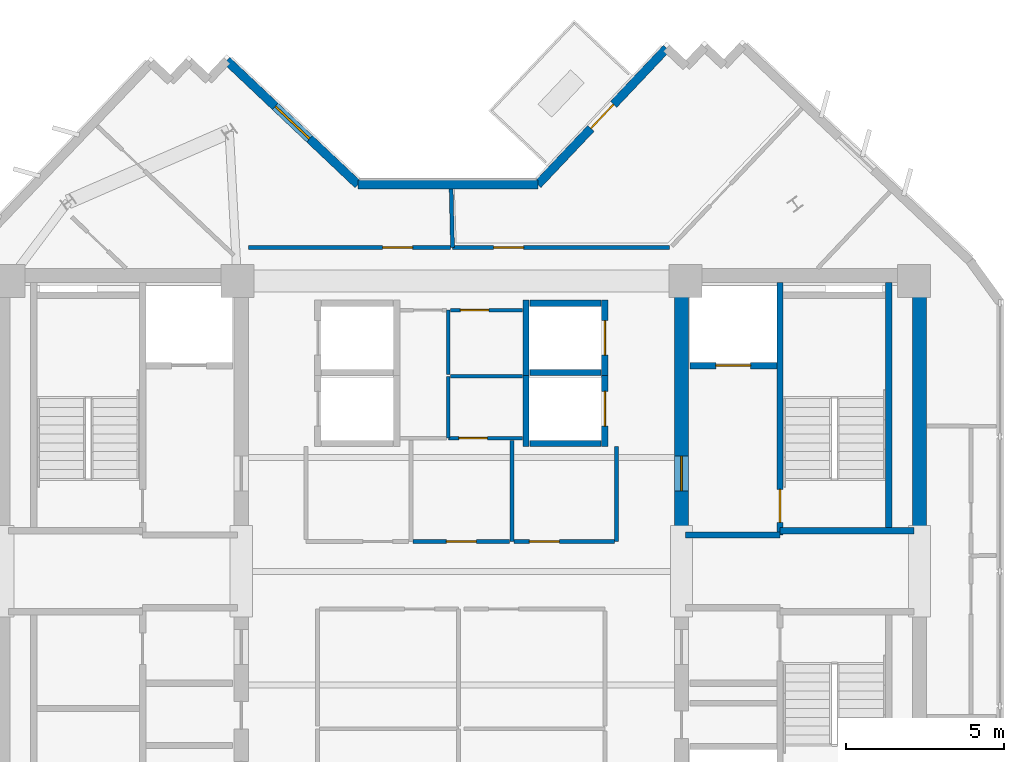
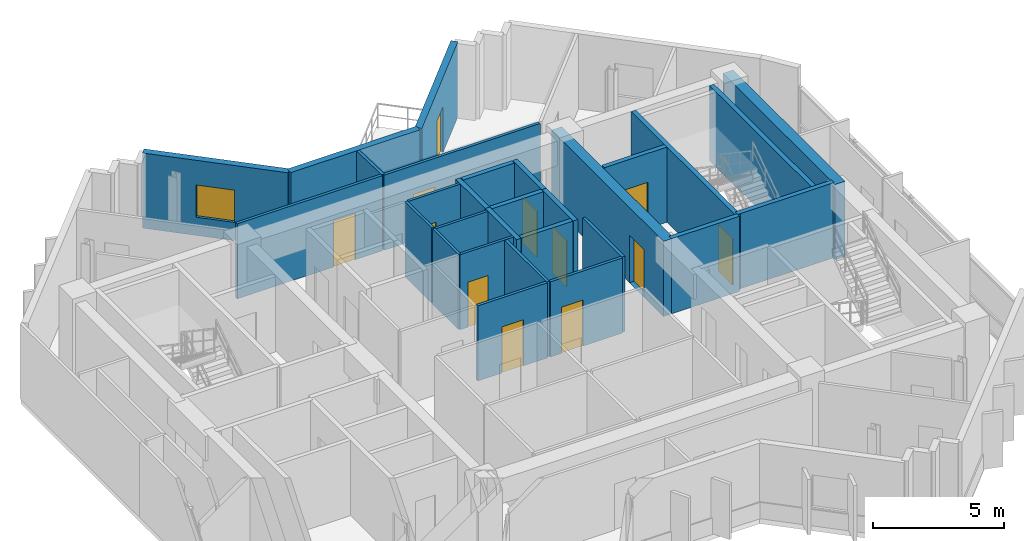
# One storey, part 6 of 9: 29 walls, 12 doors, 1 window, 13 openings.
"""IFC4 building model written with IfcOpenShell, lengths in metres."""

from ifc_helpers import new_model, si_unit, direction, frame, frame_2d, origin, place, context, subcontext, project, spatial, rectangle, extrude, source, transform, mapped, material, layer, layer_set, type_object, element, fill, save


model = new_model("IFC4")

# Units and contexts
model_context = context("Model", 3, precision=1e-05, world=origin(), true_north=direction((0.0, 1.0)))
body_context = subcontext(model_context, "Body", "Model", "MODEL_VIEW")
ifc_project = project(units=[si_unit("LENGTHUNIT", "METRE"), si_unit("AREAUNIT", "SQUARE_METRE"), si_unit("VOLUMEUNIT", "CUBIC_METRE"), si_unit("PLANEANGLEUNIT", "RADIAN"), si_unit("MASSUNIT", "GRAM", prefix="KILO")], contexts=[model_context])

# Site, building, storey
site_placement = place(None, origin())
site = spatial("IfcSite", under=ifc_project, at=site_placement, CompositionType="ELEMENT")
building_placement = place(site_placement, origin())
building = spatial("IfcBuilding", under=site, at=building_placement, Name="Zahravan Cultural Tower", CompositionType="ELEMENT")
storey_placement = place(building_placement, frame((0.0, 0.0, 302.85009765625)))
storey = spatial("IfcBuildingStorey", under=building, at=storey_placement, Name="L73", CompositionType="ELEMENT", Elevation=302.85009765625)

# Wall, opening, door
ifc_material_1 = material(Name="Concrete C50/60", Category="concrete")
ifc_layer_1 = layer(ifc_material_1, 0.449951171875)
ifc_layer_set_1 = layer_set([ifc_layer_1], Name="Concrete C50/60")
wall_type_1 = type_object("IfcWallType", Name="CW-SHEAR-450-C50", PredefinedType="SHEAR", material=ifc_layer_set_1)
wall_1_placement = place(storey_placement, frame((42.97509765625, 28.050048828125, 0.0), z_axis=(0.0, 0.0, 1.0), x_axis=(0.0, 1.0, 0.0)))
wall_1 = element("IfcWall", 1, at=wall_1_placement, inside=storey, type_object=wall_type_1, Name="L73 Core Shear Wall CW-E-WN-L73", PredefinedType="SHEAR", context=body_context, shape_type="SweptSolid", body=[
    extrude(rectangle(XDim=8.550048828125, YDim=0.449951171875, at=frame_2d((4.27490234375, 0.0))), origin(), (0.0, 0.0, 1.0), 3.5),
])
opening_1_placement = place(wall_1_placement, frame((1.5, 0.0, 0.0)))
opening_1 = element("IfcOpeningElement", 2, at=opening_1_placement, cuts=wall_1, Name="Opening D-L73-07", PredefinedType="OPENING", context=body_context, shape_type="SweptSolid", body=[
    extrude(rectangle(XDim=1.10009765625, YDim=2.199951171875, at=frame_2d((0.550048828125, 1.10009765625))), frame((0.0, 0.23486328125, 0.0), z_axis=(0.0, -1.0, 0.0), x_axis=(1.0, 0.0, 0.0)), (0.0, 0.0, 1.0), 0.469970703125),
])
ifc_material_2 = material(Name="Steel ASTM A572 Grade 50", Category="steel")
door_type_1 = type_object("IfcDoorType", Name="DR-LOBBY-1100", OperationType="NOTDEFINED", PredefinedType="DOOR", material=ifc_material_2)
shared_shape_1 = source(origin(), body_context, "Body", "SweptSolid", [
    extrude(rectangle(XDim=1.10009765625, YDim=2.199951171875, at=frame_2d((0.550048828125, 1.10009765625))), frame((0.0, 0.02490234375, 0.0), z_axis=(0.0, -1.0, 0.0), x_axis=(1.0, 0.0, 0.0)), (0.0, 0.0, 1.0), 0.050048828125),
])
door_1_placement = place(opening_1_placement, origin())
door_1 = element("IfcDoor", 3, at=door_1_placement, inside=storey, type_object=door_type_1, Name="L73 Door D-L73-07", OperationType="SINGLE_SWING_LEFT", OverallHeight=2.199951171875, OverallWidth=1.10009765625, PredefinedType="DOOR", context=body_context, shape_type="MappedRepresentation", body=[
    mapped(shared_shape_1, transform((0.0, 0.0, 0.0), x_axis=(1.0, 0.0, 0.0), y_axis=(0.0, 1.0, 0.0), z_axis=(0.0, 0.0, 1.0), scale=1.0)),
])
fill(opening_1, door_1)

ifc_material_3 = material(Name="Precast concrete C40/50", Category="concrete")
ifc_layer_2 = layer(ifc_material_3, 0.280029296875)
ifc_layer_set_2 = layer_set([ifc_layer_2], Name="Precast concrete C40/50")
wall_type_2 = type_object("IfcWallType", Name="EW-TC-280", PredefinedType="SOLIDWALL", material=ifc_layer_set_2)
wall_2_placement = place(storey_placement, frame((38.423095703125, 39.260009765625, 0.0), z_axis=(0.0, 0.0, 1.0), x_axis=(0.686888766374, 0.72676256276, 0.0)))
wall_2 = element("IfcWall", 4, at=wall_2_placement, inside=storey, type_object=wall_type_2, Name="L73 Exterior Masonry Frame Wall 01", PredefinedType="SOLIDWALL", context=body_context, shape_type="SweptSolid", body=[
    extrude(rectangle(XDim=5.9453125, YDim=0.280029296875, at=frame_2d((2.97265625, 0.0))), origin(), (0.0, 0.0, 1.0), 3.5),
])
opening_2_placement = place(wall_2_placement, frame((2.447998046875, 0.0, 0.0)))
opening_2 = element("IfcOpeningElement", 5, at=opening_2_placement, cuts=wall_2, Name="Opening D-L73-TR-NE", PredefinedType="OPENING", context=body_context, shape_type="SweptSolid", body=[
    extrude(rectangle(XDim=1.050048828125, YDim=2.14990234375, at=frame_2d((0.52490234375, 1.074951171875))), frame((0.0, 0.14990234375, 0.0), z_axis=(0.0, -1.0, 0.0), x_axis=(1.0, 0.0, 0.0)), (0.0, 0.0, 1.0), 0.300048828125),
])
ifc_material_4 = material(Name="Anodised bronze-aluminium mullion", Category="aluminium")
door_type_2 = type_object("IfcDoorType", Name="DR-TERR-1050", OperationType="NOTDEFINED", PredefinedType="DOOR", material=ifc_material_4)
shared_shape_2 = source(origin(), body_context, "Body", "SweptSolid", [
    extrude(rectangle(XDim=1.050048828125, YDim=2.14990234375, at=frame_2d((0.52490234375, 1.074951171875))), frame((0.0, 0.02490234375, 0.0), z_axis=(0.0, -1.0, 0.0), x_axis=(1.0, 0.0, 0.0)), (0.0, 0.0, 1.0), 0.050048828125),
])
door_2_placement = place(opening_2_placement, origin())
door_2 = element("IfcDoor", 6, at=door_2_placement, inside=storey, type_object=door_type_2, Name="L73 Terrace Access Door NE", OperationType="SINGLE_SWING_RIGHT", OverallHeight=2.14990234375, OverallWidth=1.050048828125, PredefinedType="DOOR", context=body_context, shape_type="MappedRepresentation", body=[
    mapped(shared_shape_2, transform((0.0, 0.0, 0.0), x_axis=(1.0, 0.0, 0.0), y_axis=(0.0, 1.0, 0.0), z_axis=(0.0, 0.0, 1.0), scale=1.0)),
])
fill(opening_2, door_2)

# Wall, opening, window
wall_3_placement = place(storey_placement, frame((28.568359375, 43.1875, 0.0), z_axis=(0.0, 0.0, 1.0), x_axis=(0.726765623086, -0.686885528382, 0.0)))
wall_3 = element("IfcWall", 7, at=wall_3_placement, inside=storey, type_object=wall_type_2, Name="L73 Exterior Masonry Frame Wall 27", PredefinedType="SOLIDWALL", context=body_context, shape_type="SweptSolid", body=[
    extrude(rectangle(XDim=5.7177734375, YDim=0.280029296875, at=frame_2d((2.85888671875, 0.0))), origin(), (0.0, 0.0, 1.0), 3.5),
])
opening_3_placement = place(wall_3_placement, frame((2.10888671875, 0.0, 0.85009765625)))
opening_3 = element("IfcOpeningElement", 8, at=opening_3_placement, cuts=wall_3, Name="Opening WN-03", PredefinedType="OPENING", context=body_context, shape_type="SweptSolid", body=[
    extrude(rectangle(XDim=1.5, YDim=1.5, at=frame_2d((0.75, 0.75))), frame((0.0, 0.14990234375, 0.0), z_axis=(0.0, -1.0, 0.0), x_axis=(1.0, 0.0, 0.0)), (0.0, 0.0, 1.0), 0.300048828125),
])
ifc_material_5 = material(Name="Low-E solar-control double glazing", Category="glass")
window_type = type_object("IfcWindowType", Name="WN-REC-1500X1500", PartitioningType="SINGLE_PANEL", PredefinedType="WINDOW", material=ifc_material_5)
shared_shape_3 = source(origin(), body_context, "Body", "SweptSolid", [
    extrude(rectangle(XDim=1.5, YDim=1.5, at=frame_2d((0.75, 0.75))), frame((0.0, 0.030029296875, 0.0), z_axis=(0.0, -1.0, 0.0), x_axis=(1.0, 0.0, 0.0)), (0.0, 0.0, 1.0), 0.06005859375),
])
window_placement = place(opening_3_placement, origin())
window = element("IfcWindow", 9, at=window_placement, inside=storey, type_object=window_type, Name="L73 Recessed Solar Window 05", OverallHeight=1.5, OverallWidth=1.5, PartitioningType="SINGLE_PANEL", PredefinedType="WINDOW", context=body_context, shape_type="MappedRepresentation", body=[
    mapped(shared_shape_3, transform((0.0, 0.0, 0.0), x_axis=(1.0, 0.0, 0.0), y_axis=(0.0, 1.0, 0.0), z_axis=(0.0, 0.0, 1.0), scale=1.0)),
])
fill(opening_3, window)

# Wall, opening, door
ifc_material_6 = material(Name="Gypsum plasterboard partition")
ifc_layer_3 = layer(ifc_material_6, 0.125)
ifc_layer_set_3 = layer_set([ifc_layer_3], Name="Gypsum plasterboard partition")
wall_type_3 = type_object("IfcWallType", Name="W-PART-125", PredefinedType="PARTITIONING", material=ifc_layer_set_3)
wall_4_placement = place(storey_placement, frame((37.532470703125, 27.93994140625, 0.0), z_axis=(0.0, 0.0, 1.0), x_axis=(-1.0, 0.0, 0.0)))
wall_4 = element("IfcWall", 10, at=wall_4_placement, inside=storey, type_object=wall_type_3, Name="L73 Interior Wall 055", PredefinedType="PARTITIONING", context=body_context, shape_type="SweptSolid", body=[
    extrude(rectangle(XDim=3.06494140625, YDim=0.125, at=frame_2d((1.532470703125, 0.0))), origin(), (0.0, 0.0, 1.0), 3.5),
])
opening_4_placement = place(wall_4_placement, frame((1.0576171875, 0.0, 0.0)))
opening_4 = element("IfcOpeningElement", 11, at=opening_4_placement, cuts=wall_4, Name="Opening D-L73-21", PredefinedType="OPENING", context=body_context, shape_type="SweptSolid", body=[
    extrude(rectangle(XDim=0.949951171875, YDim=2.14990234375, at=frame_2d((0.47509765625, 1.074951171875))), frame((0.0, 0.072509765625, 0.0), z_axis=(0.0, -1.0, 0.0), x_axis=(1.0, 0.0, 0.0)), (0.0, 0.0, 1.0), 0.14501953125),
])
door_type_3 = type_object("IfcDoorType", Name="DR-ROOM-950", OperationType="NOTDEFINED", PredefinedType="DOOR", material=ifc_material_4)
shared_shape_4 = source(origin(), body_context, "Body", "SweptSolid", [
    extrude(rectangle(XDim=0.949951171875, YDim=2.14990234375, at=frame_2d((0.47509765625, 1.074951171875))), frame((0.0, 0.02490234375, 0.0), z_axis=(0.0, -1.0, 0.0), x_axis=(1.0, 0.0, 0.0)), (0.0, 0.0, 1.0), 0.050048828125),
])
door_3_placement = place(opening_4_placement, origin())
door_3 = element("IfcDoor", 12, at=door_3_placement, inside=storey, type_object=door_type_3, Name="L73 Door D-L73-21", OperationType="SINGLE_SWING_LEFT", OverallHeight=2.14990234375, OverallWidth=0.949951171875, PredefinedType="DOOR", context=body_context, shape_type="MappedRepresentation", body=[
    mapped(shared_shape_4, transform((0.0, 0.0, 0.0), x_axis=(1.0, 0.0, 0.0), y_axis=(0.0, 1.0, 0.0), z_axis=(0.0, 0.0, 1.0), scale=1.0)),
])
fill(opening_4, door_3)

wall_5_placement = place(storey_placement, frame((40.8525390625, 27.93994140625, 0.0), z_axis=(0.0, 0.0, 1.0), x_axis=(-1.0, 0.0, 0.0)))
wall_5 = element("IfcWall", 13, at=wall_5_placement, inside=storey, type_object=wall_type_3, Name="L73 Interior Wall 059", PredefinedType="PARTITIONING", context=body_context, shape_type="SweptSolid", body=[
    extrude(rectangle(XDim=3.18505859375, YDim=0.125, at=frame_2d((1.592529296875, 0.0))), origin(), (0.0, 0.0, 1.0), 3.5),
])
opening_5_placement = place(wall_5_placement, frame((1.743408203125, 0.0, 0.0)))
opening_5 = element("IfcOpeningElement", 14, at=opening_5_placement, cuts=wall_5, Name="Opening D-L73-22", PredefinedType="OPENING", context=body_context, shape_type="SweptSolid", body=[
    extrude(rectangle(XDim=0.949951171875, YDim=2.14990234375, at=frame_2d((0.47509765625, 1.074951171875))), frame((0.0, 0.072509765625, 0.0), z_axis=(0.0, -1.0, 0.0), x_axis=(1.0, 0.0, 0.0)), (0.0, 0.0, 1.0), 0.14501953125),
])
door_4_placement = place(opening_5_placement, origin())
door_4 = element("IfcDoor", 15, at=door_4_placement, inside=storey, type_object=door_type_3, Name="L73 Door D-L73-22", OperationType="SINGLE_SWING_RIGHT", OverallHeight=2.14990234375, OverallWidth=0.949951171875, PredefinedType="DOOR", context=body_context, shape_type="MappedRepresentation", body=[
    mapped(shared_shape_4, transform((0.0, 0.0, 0.0), x_axis=(1.0, 0.0, 0.0), y_axis=(0.0, 1.0, 0.0), z_axis=(0.0, 0.0, 1.0), scale=1.0)),
])
fill(opening_5, door_4)

wall_6_placement = place(storey_placement, frame((35.65283203125, 37.260009765625, 0.0), z_axis=(0.0, 0.0, 1.0), x_axis=(-0.999999997089, -7.6303842e-05, 0.0)))
wall_6 = element("IfcWall", 16, at=wall_6_placement, inside=storey, type_object=wall_type_3, Name="L73 Interior Wall 091", PredefinedType="PARTITIONING", context=body_context, shape_type="SweptSolid", body=[
    extrude(rectangle(XDim=6.399169921875, YDim=0.125, at=frame_2d((3.19970703125, 0.0))), origin(), (0.0, 0.0, 1.0), 3.5),
])
opening_6_placement = place(wall_6_placement, frame((1.19873046875, 0.0, 0.0)))
opening_6 = element("IfcOpeningElement", 17, at=opening_6_placement, cuts=wall_6, Name="Opening D-L73-25", PredefinedType="OPENING", context=body_context, shape_type="SweptSolid", body=[
    extrude(rectangle(XDim=0.949951171875, YDim=2.14990234375, at=frame_2d((0.47509765625, 1.074951171875))), frame((0.0, 0.072509765625, 0.0), z_axis=(0.0, -1.0, 0.0), x_axis=(1.0, 0.0, 0.0)), (0.0, 0.0, 1.0), 0.14501953125),
])
door_5_placement = place(opening_6_placement, origin())
door_5 = element("IfcDoor", 18, at=door_5_placement, inside=storey, type_object=door_type_3, Name="L73 Door D-L73-25", OperationType="SINGLE_SWING_LEFT", OverallHeight=2.14990234375, OverallWidth=0.949951171875, PredefinedType="DOOR", context=body_context, shape_type="MappedRepresentation", body=[
    mapped(shared_shape_4, transform((0.0, 0.0, 0.0), x_axis=(1.0, 0.0, 0.0), y_axis=(0.0, 1.0, 0.0), z_axis=(0.0, 0.0, 1.0), scale=1.0)),
])
fill(opening_6, door_5)

wall_7_placement = place(storey_placement, frame((42.600830078125, 37.260009765625, 0.0), z_axis=(0.0, 0.0, 1.0), x_axis=(-1.0, 0.0, 0.0)))
wall_7 = element("IfcWall", 19, at=wall_7_placement, inside=storey, type_object=wall_type_3, Name="L73 Interior Wall 094", PredefinedType="PARTITIONING", context=body_context, shape_type="SweptSolid", body=[
    extrude(rectangle(XDim=6.880615234375, YDim=0.125, at=frame_2d((3.4404296875, 0.0))), origin(), (0.0, 0.0, 1.0), 3.5),
])
opening_7_placement = place(wall_7_placement, frame((4.6259765625, 0.0, 0.0)))
opening_7 = element("IfcOpeningElement", 20, at=opening_7_placement, cuts=wall_7, Name="Opening D-L73-24", PredefinedType="OPENING", context=body_context, shape_type="SweptSolid", body=[
    extrude(rectangle(XDim=0.949951171875, YDim=2.14990234375, at=frame_2d((0.47509765625, 1.074951171875))), frame((0.0, 0.072509765625, 0.0), z_axis=(0.0, -1.0, 0.0), x_axis=(1.0, 0.0, 0.0)), (0.0, 0.0, 1.0), 0.14501953125),
])
door_6_placement = place(opening_7_placement, origin())
door_6 = element("IfcDoor", 21, at=door_6_placement, inside=storey, type_object=door_type_3, Name="L73 Door D-L73-24", OperationType="SINGLE_SWING_RIGHT", OverallHeight=2.14990234375, OverallWidth=0.949951171875, PredefinedType="DOOR", context=body_context, shape_type="MappedRepresentation", body=[
    mapped(shared_shape_4, transform((0.0, 0.0, 0.0), x_axis=(1.0, 0.0, 0.0), y_axis=(0.0, 1.0, 0.0), z_axis=(0.0, 0.0, 1.0), scale=1.0)),
])
fill(opening_7, door_6)

ifc_material_7 = material(Name="Concrete C45/55", Category="concrete")
ifc_layer_4 = layer(ifc_material_7, 0.199951171875)
ifc_layer_set_4 = layer_set([ifc_layer_4], Name="Concrete C45/55")
wall_type_4 = type_object("IfcWallType", Name="W-SHAFT-200", PredefinedType="SOLIDWALL", material=ifc_layer_set_4)
wall_8_placement = place(storey_placement, frame((46.10009765625, 28.14990234375, 0.0), z_axis=(0.0, 0.0, 1.0), x_axis=(0.0, 1.0, 0.0)))
wall_8 = element("IfcWall", 22, at=wall_8_placement, inside=storey, type_object=wall_type_4, Name="L73 Interior Wall 008", PredefinedType="SOLIDWALL", context=body_context, shape_type="SweptSolid", body=[
    extrude(rectangle(XDim=8.0, YDim=0.199951171875, at=frame_2d((4.0, 0.0))), origin(), (0.0, 0.0, 1.0), 3.5),
])
opening_8_placement = place(wall_8_placement, frame((0.39990234375, 0.0, 0.0)))
opening_8 = element("IfcOpeningElement", 23, at=opening_8_placement, cuts=wall_8, Name="Opening D-L73-02", PredefinedType="OPENING", context=body_context, shape_type="SweptSolid", body=[
    extrude(rectangle(XDim=1.050048828125, YDim=2.14990234375, at=frame_2d((0.52490234375, 1.074951171875))), frame((0.0, 0.10986328125, 0.0), z_axis=(0.0, -1.0, 0.0), x_axis=(1.0, 0.0, 0.0)), (0.0, 0.0, 1.0), 0.219970703125),
])
door_type_4 = type_object("IfcDoorType", Name="DR-STAIR-1050", OperationType="NOTDEFINED", PredefinedType="DOOR", material=ifc_material_2)
door_7_placement = place(opening_8_placement, origin())
door_7 = element("IfcDoor", 24, at=door_7_placement, inside=storey, type_object=door_type_4, Name="L73 Door D-L73-02", OperationType="SINGLE_SWING_RIGHT", OverallHeight=2.14990234375, OverallWidth=1.050048828125, PredefinedType="DOOR", context=body_context, shape_type="MappedRepresentation", body=[
    mapped(shared_shape_2, transform((0.0, 0.0, 0.0), x_axis=(1.0, 0.0, 0.0), y_axis=(0.0, 1.0, 0.0), z_axis=(0.0, 0.0, 1.0), scale=1.0)),
])
fill(opening_8, door_7)

wall_9_placement = place(storey_placement, frame((43.25, 33.52001953125, 0.0), z_axis=(0.0, 0.0, 1.0), x_axis=(1.0, 0.0, 0.0)))
wall_9 = element("IfcWall", 25, at=wall_9_placement, inside=storey, type_object=wall_type_4, Name="L73 Interior Wall 023", PredefinedType="SOLIDWALL", context=body_context, shape_type="SweptSolid", body=[
    extrude(rectangle(XDim=2.75, YDim=0.199951171875, at=frame_2d((1.375, 0.0))), origin(), (0.0, 0.0, 1.0), 3.5),
])
opening_9_placement = place(wall_9_placement, frame((0.820068359375, 0.0, 0.0)))
opening_9 = element("IfcOpeningElement", 26, at=opening_9_placement, cuts=wall_9, Name="Opening LD-L73-02", PredefinedType="OPENING", context=body_context, shape_type="SweptSolid", body=[
    extrude(rectangle(XDim=1.10009765625, YDim=2.14990234375, at=frame_2d((0.550048828125, 1.074951171875))), frame((0.0, 0.10986328125, 0.0), z_axis=(0.0, -1.0, 0.0), x_axis=(1.0, 0.0, 0.0)), (0.0, 0.0, 1.0), 0.219970703125),
])
door_type_5 = type_object("IfcDoorType", Name="DR-LIFT-1100", OperationType="DOUBLE_DOOR_SLIDING", PredefinedType="DOOR", material=ifc_material_2)
shared_shape_5 = source(origin(), body_context, "Body", "SweptSolid", [
    extrude(rectangle(XDim=1.10009765625, YDim=2.14990234375, at=frame_2d((0.550048828125, 1.074951171875))), frame((0.0, 0.02490234375, 0.0), z_axis=(0.0, -1.0, 0.0), x_axis=(1.0, 0.0, 0.0)), (0.0, 0.0, 1.0), 0.050048828125),
])
door_8_placement = place(opening_9_placement, origin())
door_8 = element("IfcDoor", 27, at=door_8_placement, inside=storey, type_object=door_type_5, Name="L73 Door LD-L73-02", OperationType="DOUBLE_DOOR_SLIDING", OverallHeight=2.14990234375, OverallWidth=1.10009765625, PredefinedType="DOOR", context=body_context, shape_type="MappedRepresentation", body=[
    mapped(shared_shape_5, transform((0.0, 0.0, 0.0), x_axis=(1.0, 0.0, 0.0), y_axis=(0.0, 1.0, 0.0), z_axis=(0.0, 0.0, 1.0), scale=1.0)),
])
fill(opening_9, door_8)

wall_10_placement = place(storey_placement, frame((40.550048828125, 33.199951171875, 0.0), z_axis=(0.0, 0.0, 1.0), x_axis=(0.0, 1.0, 0.0)))
wall_10 = element("IfcWall", 28, at=wall_10_placement, inside=storey, type_object=wall_type_4, Name="L73 Interior Wall 038", PredefinedType="SOLIDWALL", context=body_context, shape_type="SweptSolid", body=[
    extrude(rectangle(XDim=2.400146484375, YDim=0.199951171875, at=frame_2d((1.2001953125, 0.0))), origin(), (0.0, 0.0, 1.0), 3.5),
])
opening_10_placement = place(wall_10_placement, frame((0.64990234375, 0.0, 0.0)))
opening_10 = element("IfcOpeningElement", 29, at=opening_10_placement, cuts=wall_10, Name="Opening LD-L73-06", PredefinedType="OPENING", context=body_context, shape_type="SweptSolid", body=[
    extrude(rectangle(XDim=1.10009765625, YDim=2.14990234375, at=frame_2d((0.550048828125, 1.074951171875))), frame((0.0, 0.10986328125, 0.0), z_axis=(0.0, -1.0, 0.0), x_axis=(1.0, 0.0, 0.0)), (0.0, 0.0, 1.0), 0.219970703125),
])
door_9_placement = place(opening_10_placement, origin())
door_9 = element("IfcDoor", 30, at=door_9_placement, inside=storey, type_object=door_type_5, Name="L73 Door LD-L73-06", OperationType="DOUBLE_DOOR_SLIDING", OverallHeight=2.14990234375, OverallWidth=1.10009765625, PredefinedType="DOOR", context=body_context, shape_type="MappedRepresentation", body=[
    mapped(shared_shape_5, transform((0.0, 0.0, 0.0), x_axis=(1.0, 0.0, 0.0), y_axis=(0.0, 1.0, 0.0), z_axis=(0.0, 0.0, 1.0), scale=1.0)),
])
fill(opening_10, door_9)

wall_11_placement = place(storey_placement, frame((40.550048828125, 30.949951171875, 0.0), z_axis=(0.0, 0.0, 1.0), x_axis=(0.0, 1.0, 0.0)))
wall_11 = element("IfcWall", 31, at=wall_11_placement, inside=storey, type_object=wall_type_4, Name="L73 Interior Wall 042", PredefinedType="SOLIDWALL", context=body_context, shape_type="SweptSolid", body=[
    extrude(rectangle(XDim=2.400146484375, YDim=0.199951171875, at=frame_2d((1.2001953125, 0.0))), origin(), (0.0, 0.0, 1.0), 3.5),
])
opening_11_placement = place(wall_11_placement, frame((0.64990234375, 0.0, 0.0)))
opening_11 = element("IfcOpeningElement", 32, at=opening_11_placement, cuts=wall_11, Name="Opening LD-L73-07", PredefinedType="OPENING", context=body_context, shape_type="SweptSolid", body=[
    extrude(rectangle(XDim=1.10009765625, YDim=2.14990234375, at=frame_2d((0.550048828125, 1.074951171875))), frame((0.0, 0.10986328125, 0.0), z_axis=(0.0, -1.0, 0.0), x_axis=(1.0, 0.0, 0.0)), (0.0, 0.0, 1.0), 0.219970703125),
])
door_10_placement = place(opening_11_placement, origin())
door_10 = element("IfcDoor", 33, at=door_10_placement, inside=storey, type_object=door_type_5, Name="L73 Door LD-L73-07", OperationType="DOUBLE_DOOR_SLIDING", OverallHeight=2.14990234375, OverallWidth=1.10009765625, PredefinedType="DOOR", context=body_context, shape_type="MappedRepresentation", body=[
    mapped(shared_shape_5, transform((0.0, 0.0, 0.0), x_axis=(1.0, 0.0, 0.0), y_axis=(0.0, 1.0, 0.0), z_axis=(0.0, 0.0, 1.0), scale=1.0)),
])
fill(opening_11, door_10)

ifc_layer_5 = layer(ifc_material_6, 0.114990234375)
ifc_layer_set_5 = layer_set([ifc_layer_5], Name="Gypsum plasterboard partition")
wall_type_5 = type_object("IfcWallType", Name="W-WC-115", PredefinedType="PARTITIONING", material=ifc_layer_set_5)
wall_12_placement = place(storey_placement, frame((37.945068359375, 31.219970703125, 0.0), z_axis=(0.0, 0.0, 1.0), x_axis=(-1.0, 0.0, 0.0)))
wall_12 = element("IfcWall", 34, at=wall_12_placement, inside=storey, type_object=wall_type_5, Name="L73 Interior Wall 044", PredefinedType="PARTITIONING", context=body_context, shape_type="SweptSolid", body=[
    extrude(rectangle(XDim=2.35498046875, YDim=0.114990234375, at=frame_2d((1.177490234375, 0.0))), origin(), (0.0, 0.0, 1.0), 3.5),
])
opening_12_placement = place(wall_12_placement, frame((1.120849609375, 0.0, 0.0)))
opening_12 = element("IfcOpeningElement", 35, at=opening_12_placement, cuts=wall_12, Name="Opening D-L73-31", PredefinedType="OPENING", context=body_context, shape_type="SweptSolid", body=[
    extrude(rectangle(XDim=0.89990234375, YDim=2.10009765625, at=frame_2d((0.449951171875, 1.050048828125))), frame((0.0, 0.0673828125, 0.0), z_axis=(0.0, -1.0, 0.0), x_axis=(1.0, 0.0, 0.0)), (0.0, 0.0, 1.0), 0.135009765625),
])
door_type_6 = type_object("IfcDoorType", Name="DR-WC-900", OperationType="NOTDEFINED", PredefinedType="DOOR", material=ifc_material_4)
shared_shape_6 = source(origin(), body_context, "Body", "SweptSolid", [
    extrude(rectangle(XDim=0.89990234375, YDim=2.10009765625, at=frame_2d((0.449951171875, 1.050048828125))), frame((0.0, 0.02490234375, 0.0), z_axis=(0.0, -1.0, 0.0), x_axis=(1.0, 0.0, 0.0)), (0.0, 0.0, 1.0), 0.050048828125),
])
door_11_placement = place(opening_12_placement, origin())
door_11 = element("IfcDoor", 36, at=door_11_placement, inside=storey, type_object=door_type_6, Name="L73 Door D-L73-31", OperationType="SINGLE_SWING_LEFT", OverallHeight=2.10009765625, OverallWidth=0.89990234375, PredefinedType="DOOR", context=body_context, shape_type="MappedRepresentation", body=[
    mapped(shared_shape_6, transform((0.0, 0.0, 0.0), x_axis=(1.0, 0.0, 0.0), y_axis=(0.0, 1.0, 0.0), z_axis=(0.0, 0.0, 1.0), scale=1.0)),
])
fill(opening_12, door_11)

wall_13_placement = place(storey_placement, frame((35.652587890625, 35.280029296875, 0.0), z_axis=(0.0, 0.0, 1.0), x_axis=(1.0, 0.0, 0.0)))
wall_13 = element("IfcWall", 37, at=wall_13_placement, inside=storey, type_object=wall_type_5, Name="L73 Interior Wall 048", PredefinedType="PARTITIONING", context=body_context, shape_type="SweptSolid", body=[
    extrude(rectangle(XDim=2.29248046875, YDim=0.114990234375, at=frame_2d((1.146240234375, 0.0))), origin(), (0.0, 0.0, 1.0), 3.5),
])
opening_13_placement = place(wall_13_placement, frame((0.3203125, 0.0, 0.0)))
opening_13 = element("IfcOpeningElement", 38, at=opening_13_placement, cuts=wall_13, Name="Opening D-L73-19", PredefinedType="OPENING", context=body_context, shape_type="SweptSolid", body=[
    extrude(rectangle(XDim=0.89990234375, YDim=2.10009765625, at=frame_2d((0.449951171875, 1.050048828125))), frame((0.0, 0.0673828125, 0.0), z_axis=(0.0, -1.0, 0.0), x_axis=(1.0, 0.0, 0.0)), (0.0, 0.0, 1.0), 0.135009765625),
])
door_12_placement = place(opening_13_placement, origin())
door_12 = element("IfcDoor", 39, at=door_12_placement, inside=storey, type_object=door_type_6, Name="L73 Door D-L73-19", OperationType="SINGLE_SWING_LEFT", OverallHeight=2.10009765625, OverallWidth=0.89990234375, PredefinedType="DOOR", context=body_context, shape_type="MappedRepresentation", body=[
    mapped(shared_shape_6, transform((0.0, 0.0, 0.0), x_axis=(1.0, 0.0, 0.0), y_axis=(0.0, 1.0, 0.0), z_axis=(0.0, 0.0, 1.0), scale=1.0)),
])
fill(opening_13, door_12)

# Walls
shared_shape_7 = source(origin(), body_context, "Body", "SweptSolid", [
    extrude(rectangle(XDim=8.550048828125, YDim=0.449951171875, at=frame_2d((4.27490234375, 0.0))), origin(), (0.0, 0.0, 1.0), 3.5),
])
wall_14_placement = place(storey_placement, frame((50.52490234375, 28.050048828125, 0.0), z_axis=(0.0, 0.0, 1.0), x_axis=(0.0, 1.0, 0.0)))
element("IfcWall", 40, at=wall_14_placement, inside=storey, type_object=wall_type_1, Name="L73 Core Shear Wall CW-E-EN-L73", PredefinedType="SHEAR", context=body_context, shape_type="MappedRepresentation", body=[
    mapped(shared_shape_7, transform((0.0, 0.0, 0.0), x_axis=(1.0, 0.0, 0.0), y_axis=(0.0, 1.0, 0.0), z_axis=(0.0, 0.0, 1.0), scale=1.0)),
])
shared_shape_8 = source(origin(), body_context, "Body", "SweptSolid", [
    extrude(rectangle(XDim=5.69921875, YDim=0.280029296875, at=frame_2d((2.849609375, 0.0))), origin(), (0.0, 0.0, 1.0), 3.5),
])
wall_15_placement = place(storey_placement, frame((32.723876953125, 39.260009765625, 0.0), z_axis=(0.0, 0.0, 1.0), x_axis=(1.0, 0.0, 0.0)))
element("IfcWall", 41, at=wall_15_placement, inside=storey, type_object=wall_type_2, Name="L73 Exterior Masonry Frame Wall 28", PredefinedType="SOLIDWALL", context=body_context, shape_type="MappedRepresentation", body=[
    mapped(shared_shape_8, transform((0.0, 0.0, 0.0), x_axis=(1.0, 0.0, 0.0), y_axis=(0.0, 1.0, 0.0), z_axis=(0.0, 0.0, 1.0), scale=1.0)),
])
shared_shape_9 = source(origin(), body_context, "Body", "SweptSolid", [
    extrude(rectangle(XDim=7.869873046875, YDim=0.199951171875, at=frame_2d((3.93505859375, 0.0))), origin(), (0.0, 0.0, 1.0), 3.5),
])
wall_16_placement = place(storey_placement, frame((49.550048828125, 28.280029296875, 0.0), z_axis=(0.0, 0.0, 1.0), x_axis=(0.0, 1.0, 0.0)))
element("IfcWall", 42, at=wall_16_placement, inside=storey, type_object=wall_type_4, Name="L73 Interior Wall 004", PredefinedType="SOLIDWALL", context=body_context, shape_type="MappedRepresentation", body=[
    mapped(shared_shape_9, transform((0.0, 0.0, 0.0), x_axis=(1.0, 0.0, 0.0), y_axis=(0.0, 1.0, 0.0), z_axis=(0.0, 0.0, 1.0), scale=1.0)),
])
shared_shape_10 = source(origin(), body_context, "Body", "SweptSolid", [
    extrude(rectangle(XDim=4.25, YDim=0.199951171875, at=frame_2d((2.125, 0.0))), origin(), (0.0, 0.0, 1.0), 3.5),
])
wall_17_placement = place(storey_placement, frame((46.10009765625, 28.284912109375, 0.0), z_axis=(0.0, 0.0, 1.0), x_axis=(1.0, 0.0, 0.0)))
element("IfcWall", 43, at=wall_17_placement, inside=storey, type_object=wall_type_4, Name="L73 Interior Wall 016", PredefinedType="SOLIDWALL", context=body_context, shape_type="MappedRepresentation", body=[
    mapped(shared_shape_10, transform((0.0, 0.0, 0.0), x_axis=(1.0, 0.0, 0.0), y_axis=(0.0, 1.0, 0.0), z_axis=(0.0, 0.0, 1.0), scale=1.0)),
])
shared_shape_11 = source(origin(), body_context, "Body", "SweptSolid", [
    extrude(rectangle(XDim=3.0, YDim=0.199951171875, at=frame_2d((1.5, 0.0))), origin(), (0.0, 0.0, 1.0), 3.5),
])
wall_18_placement = place(storey_placement, frame((43.10009765625, 28.14990234375, 0.0), z_axis=(0.0, 0.0, 1.0), x_axis=(1.0, 0.0, 0.0)))
element("IfcWall", 44, at=wall_18_placement, inside=storey, type_object=wall_type_4, Name="L73 Interior Wall 015", PredefinedType="SOLIDWALL", context=body_context, shape_type="MappedRepresentation", body=[
    mapped(shared_shape_11, transform((0.0, 0.0, 0.0), x_axis=(1.0, 0.0, 0.0), y_axis=(0.0, 1.0, 0.0), z_axis=(0.0, 0.0, 1.0), scale=1.0)),
])
shared_shape_12 = source(origin(), body_context, "Body", "SweptSolid", [
    extrude(rectangle(XDim=2.400146484375, YDim=0.199951171875, at=frame_2d((1.2001953125, 0.0))), origin(), (0.0, 0.0, 1.0), 3.5),
])
for number, where, z_axis, x_axis, name in (
    (45, (38.050048828125, 33.199951171875, 0.0), (0.0, 0.0, 1.0), (0.0, 1.0, 0.0), "L73 Interior Wall 037"),
    (46, (38.050048828125, 30.949951171875, 0.0), (0.0, 0.0, 1.0), (0.0, 1.0, 0.0), "L73 Interior Wall 041"),
):
    element("IfcWall", number, at=place(storey_placement, frame(where, z_axis=z_axis, x_axis=x_axis)), inside=storey, type_object=wall_type_4, Name=name, PredefinedType="SOLIDWALL", context=body_context, shape_type="MappedRepresentation", body=[
        mapped(shared_shape_12, transform((0.0, 0.0, 0.0), x_axis=(1.0, 0.0, 0.0), y_axis=(0.0, 1.0, 0.0), z_axis=(0.0, 0.0, 1.0), scale=1.0)),
    ])
shared_shape_13 = source(origin(), body_context, "Body", "SweptSolid", [
    extrude(rectangle(XDim=2.260009765625, YDim=0.199951171875, at=frame_2d((1.1298828125, 0.0))), origin(), (0.0, 0.0, 1.0), 3.5),
])
for number, where, z_axis, x_axis, name in (
    (47, (38.169921875, 33.300048828125, 0.0), (0.0, 0.0, 1.0), (1.0, 0.0, 0.0), "L73 Interior Wall 039"),
    (48, (38.169921875, 35.5, 0.0), (0.0, 0.0, 1.0), (1.0, 0.0, 0.0), "L73 Interior Wall 040"),
    (49, (38.169921875, 31.050048828125, 0.0), (0.0, 0.0, 1.0), (1.0, 0.0, 0.0), "L73 Interior Wall 043"),
):
    element("IfcWall", number, at=place(storey_placement, frame(where, z_axis=z_axis, x_axis=x_axis)), inside=storey, type_object=wall_type_4, Name=name, PredefinedType="SOLIDWALL", context=body_context, shape_type="MappedRepresentation", body=[
        mapped(shared_shape_13, transform((0.0, 0.0, 0.0), x_axis=(1.0, 0.0, 0.0), y_axis=(0.0, 1.0, 0.0), z_axis=(0.0, 0.0, 1.0), scale=1.0)),
    ])
shared_shape_14 = source(origin(), body_context, "Body", "SweptSolid", [
    extrude(rectangle(XDim=1.9599609375, YDim=0.114990234375, at=frame_2d((0.97998046875, 0.0))), origin(), (0.0, 0.0, 1.0), 3.5),
])
wall_19_placement = place(storey_placement, frame((35.590087890625, 31.219970703125, 0.0), z_axis=(0.0, 0.0, 1.0), x_axis=(0.0, 1.0, 0.0)))
element("IfcWall", 50, at=wall_19_placement, inside=storey, type_object=wall_type_5, Name="L73 Interior Wall 045", PredefinedType="PARTITIONING", context=body_context, shape_type="MappedRepresentation", body=[
    mapped(shared_shape_14, transform((0.0, 0.0, 0.0), x_axis=(1.0, 0.0, 0.0), y_axis=(0.0, 1.0, 0.0), z_axis=(0.0, 0.0, 1.0), scale=1.0)),
])
shared_shape_15 = source(origin(), body_context, "Body", "SweptSolid", [
    extrude(rectangle(XDim=2.29248046875, YDim=0.114990234375, at=frame_2d((1.146240234375, 0.0))), origin(), (0.0, 0.0, 1.0), 3.5),
])
wall_20_placement = place(storey_placement, frame((35.652587890625, 33.179931640625, 0.0), z_axis=(0.0, 0.0, 1.0), x_axis=(1.0, 0.0, 0.0)))
element("IfcWall", 51, at=wall_20_placement, inside=storey, type_object=wall_type_5, Name="L73 Interior Wall 046", PredefinedType="PARTITIONING", context=body_context, shape_type="MappedRepresentation", body=[
    mapped(shared_shape_15, transform((0.0, 0.0, 0.0), x_axis=(1.0, 0.0, 0.0), y_axis=(0.0, 1.0, 0.0), z_axis=(0.0, 0.0, 1.0), scale=1.0)),
])
shared_shape_16 = source(origin(), body_context, "Body", "SweptSolid", [
    extrude(rectangle(XDim=2.0400390625, YDim=0.114990234375, at=frame_2d((1.02001953125, 0.0))), origin(), (0.0, 0.0, 1.0), 3.5),
])
wall_21_placement = place(storey_placement, frame((35.590087890625, 33.239990234375, 0.0), z_axis=(0.0, 0.0, 1.0), x_axis=(0.0, 1.0, 0.0)))
element("IfcWall", 52, at=wall_21_placement, inside=storey, type_object=wall_type_5, Name="L73 Interior Wall 047", PredefinedType="PARTITIONING", context=body_context, shape_type="MappedRepresentation", body=[
    mapped(shared_shape_16, transform((0.0, 0.0, 0.0), x_axis=(1.0, 0.0, 0.0), y_axis=(0.0, 1.0, 0.0), z_axis=(0.0, 0.0, 1.0), scale=1.0)),
])
shared_shape_17 = source(origin(), body_context, "Body", "SweptSolid", [
    extrude(rectangle(XDim=3.199951171875, YDim=0.125, at=frame_2d((1.60009765625, 0.0))), origin(), (0.0, 0.0, 1.0), 3.5),
])
wall_22_placement = place(storey_placement, frame((37.60009765625, 31.139892578125, 0.0), z_axis=(0.0, 0.0, 1.0), x_axis=(0.0, -1.0, 0.0)))
element("IfcWall", 53, at=wall_22_placement, inside=storey, type_object=wall_type_3, Name="L73 Interior Wall 054", PredefinedType="PARTITIONING", context=body_context, shape_type="MappedRepresentation", body=[
    mapped(shared_shape_17, transform((0.0, 0.0, 0.0), x_axis=(1.0, 0.0, 0.0), y_axis=(0.0, 1.0, 0.0), z_axis=(0.0, 0.0, 1.0), scale=1.0)),
])
shared_shape_18 = source(origin(), body_context, "Body", "SweptSolid", [
    extrude(rectangle(XDim=3.010009765625, YDim=0.125, at=frame_2d((1.5048828125, 0.0))), origin(), (0.0, 0.0, 1.0), 3.5),
])
wall_23_placement = place(storey_placement, frame((40.919921875, 30.949951171875, 0.0), z_axis=(0.0, 0.0, 1.0), x_axis=(0.0, -1.0, 0.0)))
element("IfcWall", 54, at=wall_23_placement, inside=storey, type_object=wall_type_3, Name="L73 Interior Wall 058", PredefinedType="PARTITIONING", context=body_context, shape_type="MappedRepresentation", body=[
    mapped(shared_shape_18, transform((0.0, 0.0, 0.0), x_axis=(1.0, 0.0, 0.0), y_axis=(0.0, 1.0, 0.0), z_axis=(0.0, 0.0, 1.0), scale=1.0)),
])
shared_shape_19 = source(origin(), body_context, "Body", "SweptSolid", [
    extrude(rectangle(XDim=1.85546875, YDim=0.125, at=frame_2d((0.927734375, 0.0))), origin(), (0.0, 0.0, 1.0), 3.5),
])
wall_24_placement = place(storey_placement, frame((35.6767578125, 39.114990234375, 0.0), z_axis=(0.0, 0.0, 1.0), x_axis=(0.023420791501, -0.999725695641, 0.0)))
element("IfcWall", 55, at=wall_24_placement, inside=storey, type_object=wall_type_3, Name="L73 Interior Wall 090", PredefinedType="PARTITIONING", context=body_context, shape_type="MappedRepresentation", body=[
    mapped(shared_shape_19, transform((0.0, 0.0, 0.0), x_axis=(1.0, 0.0, 0.0), y_axis=(0.0, 1.0, 0.0), z_axis=(0.0, 0.0, 1.0), scale=1.0)),
])

save(model, "model.ifc")
